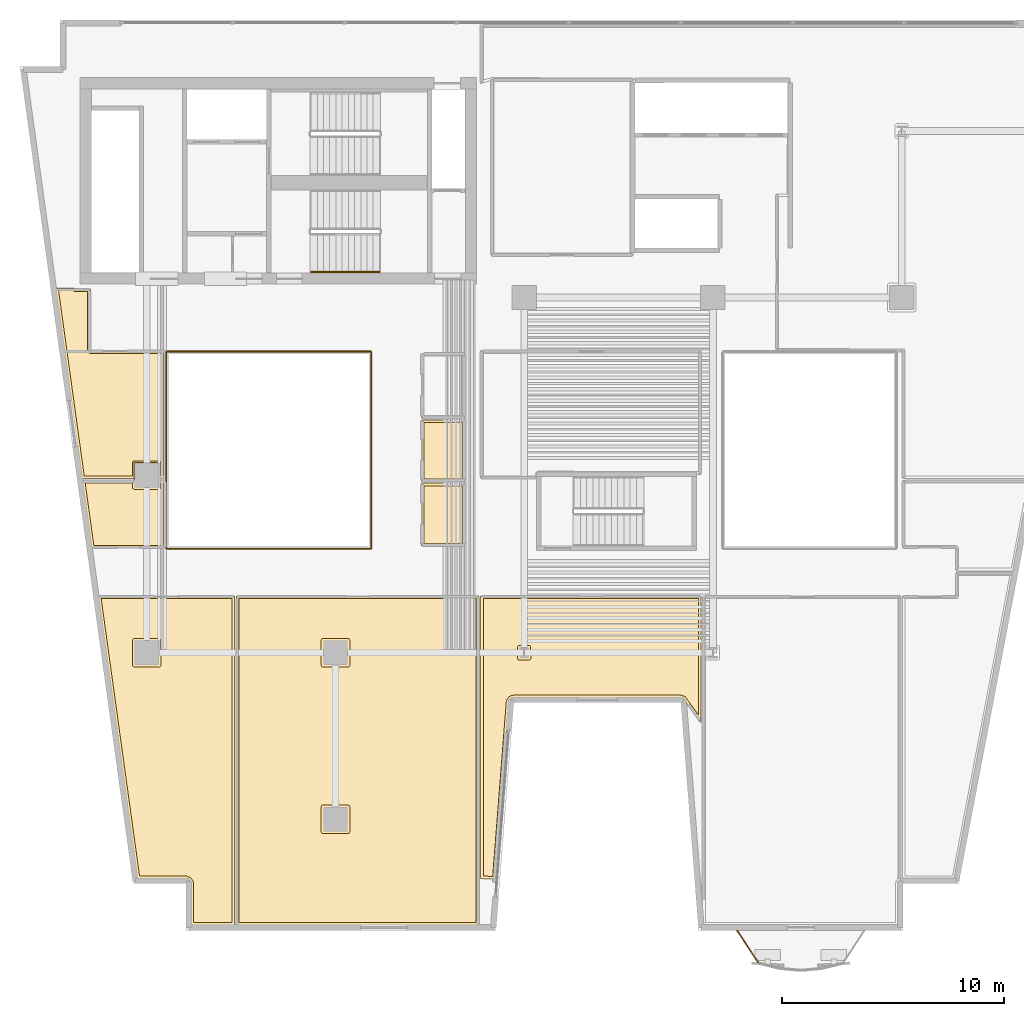
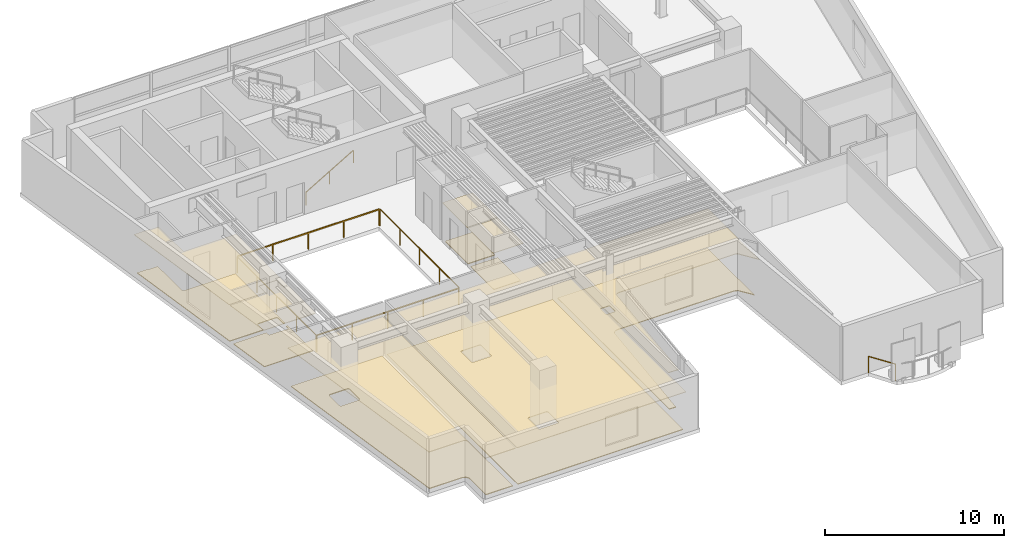
# One storey, part 9 of 13: 14 coverings, 6 railings.
"""IFC4 building model written with IfcOpenShell, lengths in metres."""

from ifc_helpers import new_model, si_unit, direction, frame, origin, origin_2d, place, context, subcontext, project, spatial, polyline, rectangle, outline, extrude, material, layer, layer_set, type_object, element, save


model = new_model("IFC4")

# Units and contexts
model_context = context("Model", 3, precision=1e-05, world=origin(), true_north=direction((0.0, 1.0)))
body_context = subcontext(model_context, "Body", "Model", "MODEL_VIEW")
ifc_project = project(units=[si_unit("LENGTHUNIT", "METRE"), si_unit("AREAUNIT", "SQUARE_METRE"), si_unit("VOLUMEUNIT", "CUBIC_METRE"), si_unit("PLANEANGLEUNIT", "RADIAN"), si_unit("MASSUNIT", "GRAM", prefix="KILO")], contexts=[model_context])

# Site, building, storey
site_placement = place(None, origin())
site = spatial("IfcSite", under=ifc_project, at=site_placement, CompositionType="ELEMENT")
building_placement = place(site_placement, origin())
building = spatial("IfcBuilding", under=site, at=building_placement, Name="Caeloran Harvest Quay", CompositionType="ELEMENT")
storey_placement = place(building_placement, frame((0.0, 0.0, 131.14990234375)))
storey = spatial("IfcBuildingStorey", under=building, at=storey_placement, Name="L30", CompositionType="ELEMENT", Elevation=131.14990234375)

# Coverings
ifc_material_1 = material(Name="Perforated Mineral-Fibre Acoustic Ceiling Tile", Category="ceiling")
ifc_layer_1 = layer(ifc_material_1, 0.0400390625, Name="Perforated Mineral-Fibre Acoustic Ceiling Tile")
ifc_layer_set_1 = layer_set([ifc_layer_1], Name="Perforated Mineral-Fibre Acoustic Ceiling Tile")
covering_type_1 = type_object("IfcCoveringType", Name="COV-CEILING-ACOUSTIC", PredefinedType="CEILING", material=ifc_layer_set_1)
covering_1_placement = place(storey_placement, frame((0.0, 0.0, 2.60009765625)))
element("IfcCovering", 1, at=covering_1_placement, inside=storey, type_object=covering_type_1, Name="L30 Female Washroom WC Acoustic Ceiling", PredefinedType="CEILING", context=body_context, shape_type="SweptSolid", body=[
    extrude(outline(polyline([(22.840087890625, 22.7099609375), (20.8701171875, 22.7099609375), (20.8701171875, 25.489990234375), (22.840087890625, 25.489990234375), (22.840087890625, 22.7099609375)])), origin(), (0.0, 0.0, 1.0), 0.0400390625),
])
covering_2_placement = place(storey_placement, frame((0.0, 0.0, 2.60009765625)))
element("IfcCovering", 2, at=covering_2_placement, inside=storey, type_object=covering_type_1, Name="L30 Accessible Unisex Washroom WC Acoustic Ceiling", PredefinedType="CEILING", context=body_context, shape_type="SweptSolid", body=[
    extrude(outline(polyline([(22.840087890625, 19.81005859375), (20.8701171875, 19.81005859375), (20.8701171875, 22.639892578125), (22.840087890625, 22.639892578125), (22.840087890625, 19.81005859375)])), origin(), (0.0, 0.0, 1.0), 0.0400390625),
])
covering_3_placement = place(storey_placement, frame((0.0, 0.0, 2.60009765625)))
element("IfcCovering", 3, at=covering_3_placement, inside=storey, type_object=covering_type_1, Name="Precision Agriculture Engineering Office Acoustic Ceiling", PredefinedType="CEILING", context=body_context, shape_type="SweptSolid", body=[
    extrude(outline(polyline([(23.4599609375, 2.719970703125), (12.5400390625, 2.719970703125), (12.5400390625, 17.56005859375), (23.4599609375, 17.56005859375), (23.4599609375, 2.719970703125)])), origin(), (0.0, 0.0, 1.0), 0.0400390625),
])
covering_4_placement = place(storey_placement, frame((0.0, 0.0, 2.60009765625)))
element("IfcCovering", 4, at=covering_4_placement, inside=storey, type_object=covering_type_1, Name="Drone Telemetry Computing Office Acoustic Ceiling", PredefinedType="CEILING", context=body_context, shape_type="SweptSolid", body=[
    extrude(outline(polyline([(10.464111328125, 4.70361328125), (10.373779296875, 4.7939453125), (10.26904296875, 4.820068359375), (8.0712890625, 4.820068359375), (6.309326171875, 17.56005859375), (12.4599609375, 17.56005859375), (12.4599609375, 2.719970703125), (10.489990234375, 2.719970703125), (10.489990234375, 4.59912109375), (10.464111328125, 4.70361328125)])), origin(), (0.0, 0.0, 1.0), 0.0400390625),
])
covering_5_placement = place(storey_placement, frame((0.0, 0.0, 2.60009765625)))
element("IfcCovering", 5, at=covering_5_placement, inside=storey, type_object=covering_type_1, Name="Boardroom and Client Briefing Room Acoustic Ceiling", PredefinedType="CEILING", context=body_context, shape_type="SweptSolid", body=[
    extrude(outline(polyline([(33.4599609375, 11.83740234375), (32.770751953125, 12.79248046875), (32.726806640625, 12.887451171875), (32.659912109375, 12.943359375), (32.576904296875, 12.968994140625), (25.031005859375, 12.969970703125), (24.90625, 12.931884765625), (24.83447265625, 12.850830078125), (24.810546875, 12.76611328125), (24.18896484375, 4.801025390625), (23.5400390625, 4.826416015625), (23.5400390625, 17.56005859375), (33.4599609375, 17.56005859375), (33.4599609375, 11.83740234375)])), origin(), (0.0, 0.0, 1.0), 0.0400390625),
])
covering_6_placement = place(storey_placement, frame((0.0, 0.0, 2.60009765625)))
element("IfcCovering", 6, at=covering_6_placement, inside=storey, type_object=covering_type_1, Name="Staff Espresso Kitchen Acoustic Ceiling", PredefinedType="CEILING", context=body_context, shape_type="SweptSolid", body=[
    extrude(outline(polyline([(9.360107421875, 22.760009765625), (9.360107421875, 19.7099609375), (6.01220703125, 19.7099609375), (5.59033203125, 22.760009765625), (7.929931640625, 22.760009765625), (7.929931640625, 23.570068359375), (9.070068359375, 23.570068359375), (9.070068359375, 22.760009765625), (9.360107421875, 22.760009765625)])), origin(), (0.0, 0.0, 1.0), 0.0400390625),
])
covering_7_placement = place(storey_placement, frame((0.0, 0.0, 2.60009765625)))
element("IfcCovering", 7, at=covering_7_placement, inside=storey, type_object=covering_type_1, Name="Precision Agriculture Engineering Office 9 Acoustic Ceiling", PredefinedType="CEILING", context=body_context, shape_type="SweptSolid", body=[
    extrude(outline(polyline([(9.070068359375, 22.429931640625), (7.929931640625, 22.429931640625), (7.929931640625, 22.840087890625), (5.5791015625, 22.840087890625), (4.391357421875, 31.429931640625), (5.214599609375, 31.429931640625), (5.260009765625, 31.408447265625), (5.260009765625, 31.389892578125), (5.9599609375, 31.389892578125), (5.9599609375, 28.610107421875), (9.360107421875, 28.610107421875), (9.360107421875, 22.840087890625), (9.070068359375, 22.840087890625), (9.070068359375, 22.429931640625)])), origin(), (0.0, 0.0, 1.0), 0.0400390625),
])
ifc_material_2 = material(Name="Calcium-Sulphate Raised Access Floor and Terrazzo Finish", Category="flooring")
ifc_layer_2 = layer(ifc_material_2, 0.050048828125, Name="Calcium-Sulphate Raised Access Floor and Terrazzo Finish")
ifc_layer_set_2 = layer_set([ifc_layer_2], Name="Calcium-Sulphate Raised Access Floor and Terrazzo Finish")
covering_type_2 = type_object("IfcCoveringType", Name="COV-FLOOR-RAISED", PredefinedType="FLOORING", material=ifc_layer_set_2)
covering_8_placement = place(storey_placement, origin())
element("IfcCovering", 8, at=covering_8_placement, inside=storey, type_object=covering_type_2, Name="L30 Female Washroom WC Raised Finish Flooring", PredefinedType="FLOORING", context=body_context, shape_type="SweptSolid", body=[
    extrude(outline(polyline([(22.719970703125, 22.830078125), (20.989990234375, 22.830078125), (20.989990234375, 25.3701171875), (22.719970703125, 25.3701171875), (22.719970703125, 22.830078125)])), origin(), (0.0, 0.0, 1.0), 0.050048828125),
])
covering_9_placement = place(storey_placement, origin())
element("IfcCovering", 9, at=covering_9_placement, inside=storey, type_object=covering_type_2, Name="L30 Accessible Unisex Washroom WC Raised Finish Flooring", PredefinedType="FLOORING", context=body_context, shape_type="SweptSolid", body=[
    extrude(outline(polyline([(22.719970703125, 19.929931640625), (20.989990234375, 19.929931640625), (20.989990234375, 22.52001953125), (22.719970703125, 22.52001953125), (22.719970703125, 19.929931640625)])), origin(), (0.0, 0.0, 1.0), 0.050048828125),
])
covering_10_placement = place(storey_placement, origin())
element("IfcCovering", 10, at=covering_10_placement, inside=storey, type_object=covering_type_2, Name="Precision Agriculture Engineering Office Raised Finish Flooring", PredefinedType="FLOORING", context=body_context, shape_type="SweptSolid", body=[
    extrude(outline(polyline([(12.659912109375, 17.43994140625), (23.340087890625, 17.43994140625), (23.340087890625, 2.840087890625), (12.659912109375, 2.840087890625), (12.659912109375, 17.43994140625)]), holes=[polyline([(16.43505859375, 8.14501953125), (16.37841796875, 8.12158203125), (16.35498046875, 8.06494140625), (16.35498046875, 6.93505859375), (16.37841796875, 6.87841796875), (16.43505859375, 6.85498046875), (17.56494140625, 6.85498046875), (17.62158203125, 6.87841796875), (17.64501953125, 6.93505859375), (17.64501953125, 8.06494140625), (17.62158203125, 8.12158203125), (17.56494140625, 8.14501953125), (16.43505859375, 8.14501953125)]), polyline([(16.43505859375, 15.64501953125), (16.37841796875, 15.62158203125), (16.35498046875, 15.56494140625), (16.35498046875, 14.43505859375), (16.37841796875, 14.37841796875), (16.43505859375, 14.35498046875), (17.56494140625, 14.35498046875), (17.62158203125, 14.37841796875), (17.64501953125, 14.43505859375), (17.64501953125, 15.56494140625), (17.62158203125, 15.62158203125), (17.56494140625, 15.64501953125), (16.43505859375, 15.64501953125)])]), origin(), (0.0, 0.0, 1.0), 0.050048828125),
])
covering_11_placement = place(storey_placement, origin())
element("IfcCovering", 11, at=covering_11_placement, inside=storey, type_object=covering_type_2, Name="Drone Telemetry Computing Office Raised Finish Flooring", PredefinedType="FLOORING", context=body_context, shape_type="SweptSolid", body=[
    extrude(outline(polyline([(10.58544921875, 4.726318359375), (10.482666015625, 4.865234375), (10.29931640625, 4.938720703125), (8.17578125, 4.93994140625), (6.447021484375, 17.43994140625), (12.340087890625, 17.43994140625), (12.340087890625, 2.840087890625), (10.610107421875, 2.840087890625), (10.610107421875, 4.60009765625), (10.58544921875, 4.726318359375)]), holes=[polyline([(7.93505859375, 15.64501953125), (7.87841796875, 15.62158203125), (7.85498046875, 15.56494140625), (7.85498046875, 14.43505859375), (7.87841796875, 14.37841796875), (7.93505859375, 14.35498046875), (9.06494140625, 14.35498046875), (9.12158203125, 14.37841796875), (9.14501953125, 14.43505859375), (9.14501953125, 15.56494140625), (9.12158203125, 15.62158203125), (9.06494140625, 15.64501953125), (7.93505859375, 15.64501953125)])]), origin(), (0.0, 0.0, 1.0), 0.050048828125),
])
covering_12_placement = place(storey_placement, origin())
element("IfcCovering", 12, at=covering_12_placement, inside=storey, type_object=covering_type_2, Name="Boardroom and Client Briefing Room Raised Finish Flooring", PredefinedType="FLOORING", context=body_context, shape_type="SweptSolid", body=[
    extrude(outline(polyline([(33.340087890625, 12.208740234375), (32.74951171875, 13.02880859375), (32.554931640625, 13.090087890625), (25.030029296875, 13.090087890625), (24.90185546875, 13.06494140625), (24.808837890625, 13.008056640625), (24.72607421875, 12.902099609375), (24.69091796875, 12.776611328125), (24.078369140625, 4.925537109375), (23.659912109375, 4.94189453125), (23.659912109375, 17.43994140625), (33.340087890625, 17.43994140625), (33.340087890625, 12.208740234375)]), holes=[polyline([(25.806884765625, 14.748046875), (25.788818359375, 15.302734375), (25.73486328125, 15.33154296875), (25.27294921875, 15.33203125), (25.21630859375, 15.30859375), (25.193115234375, 15.251953125), (25.193115234375, 14.748046875), (25.21630859375, 14.69140625), (25.27294921875, 14.66796875), (25.72705078125, 14.66796875), (25.78369140625, 14.69140625), (25.806884765625, 14.748046875)])]), origin(), (0.0, 0.0, 1.0), 0.050048828125),
])
covering_13_placement = place(storey_placement, origin())
element("IfcCovering", 13, at=covering_13_placement, inside=storey, type_object=covering_type_2, Name="Staff Espresso Kitchen Raised Finish Flooring", PredefinedType="FLOORING", context=body_context, shape_type="SweptSolid", body=[
    extrude(outline(polyline([(7.85498046875, 22.639892578125), (7.8583984375, 22.411865234375), (7.93505859375, 22.35498046875), (9.08056640625, 22.3564453125), (9.1435546875, 22.41943359375), (9.14501953125, 22.639892578125), (9.239990234375, 22.639892578125), (9.239990234375, 19.830078125), (6.11669921875, 19.830078125), (5.72802734375, 22.639892578125), (7.85498046875, 22.639892578125)])), origin(), (0.0, 0.0, 1.0), 0.050048828125),
])
covering_14_placement = place(storey_placement, origin())
element("IfcCovering", 14, at=covering_14_placement, inside=storey, type_object=covering_type_2, Name="Precision Agriculture Engineering Office 9 Raised Finish Flooring", PredefinedType="FLOORING", context=body_context, shape_type="SweptSolid", body=[
    extrude(outline(polyline([(5.165283203125, 31.31005859375), (5.2431640625, 31.270263671875), (5.840087890625, 31.27001953125), (5.840087890625, 28.60009765625), (5.8857421875, 28.5107421875), (5.949951171875, 28.489990234375), (9.239990234375, 28.489990234375), (9.239990234375, 22.9599609375), (9.14501953125, 22.9599609375), (9.14453125, 23.57275390625), (9.11572265625, 23.626708984375), (9.06494140625, 23.64501953125), (7.897216796875, 23.635498046875), (7.85546875, 23.57275390625), (7.85498046875, 22.9599609375), (5.683837890625, 22.9599609375), (4.529052734375, 31.31005859375), (5.165283203125, 31.31005859375)])), origin(), (0.0, 0.0, 1.0), 0.050048828125),
])

# Railings
ifc_material_3 = material(Name="Powder-Coated Steel Post and Laminated Glass Guardrail", Category="steel")
ifc_layer_3 = layer(ifc_material_3, 0.06005859375, Name="Powder-Coated Steel Post and Laminated Glass Guardrail")
ifc_layer_set_3 = layer_set([ifc_layer_3], Name="Powder-Coated Steel Post and Laminated Glass Guardrail")
railing_type_1 = type_object("IfcRailingType", Name="GUARD-ATRIUM-1150", PredefinedType="GUARDRAIL", material=ifc_layer_set_3)
railing_1_placement = place(storey_placement, frame((9.412109375, 19.679931640625, 0.0)))
element("IfcRailing", 15, at=railing_1_placement, inside=storey, type_object=railing_type_1, Name="L30 Skylit Atrium Void Perimeter Guardrail Seg 1", PredefinedType="GUARDRAIL", context=body_context, shape_type="SweptSolid", body=[
    extrude(rectangle(XDim=0.048095703125, YDim=0.048095703125, at=origin_2d()), frame((0.0, 0.0, 1.1259765625), z_axis=(1.0, 0.0, 0.0), x_axis=(0.0, 1.0, 0.0)), (0.0, 0.0, 1.0), 9.17578125),
    extrude(rectangle(XDim=0.0419921875, YDim=0.0419921875, at=origin_2d()), origin(), (0.0, 0.0, 1.0), 1.101806640625),
    extrude(rectangle(XDim=0.0419921875, YDim=0.0419921875, at=origin_2d()), frame((2.2939453125, 0.0, 0.0)), (0.0, 0.0, 1.0), 1.101806640625),
    extrude(rectangle(XDim=0.0419921875, YDim=0.0419921875, at=origin_2d()), frame((4.587890625, 0.0, 0.0)), (0.0, 0.0, 1.0), 1.101806640625),
    extrude(rectangle(XDim=0.0419921875, YDim=0.0419921875, at=origin_2d()), frame((6.8818359375, 0.0, 0.0)), (0.0, 0.0, 1.0), 1.101806640625),
    extrude(rectangle(XDim=0.0419921875, YDim=0.0419921875, at=origin_2d()), frame((9.17578125, 0.0, 0.0)), (0.0, 0.0, 1.0), 1.101806640625),
])
railing_2_placement = place(storey_placement, frame((18.6201171875, 19.7119140625, 0.0)))
element("IfcRailing", 16, at=railing_2_placement, inside=storey, type_object=railing_type_1, Name="L30 Skylit Atrium Void Perimeter Guardrail Seg 2", PredefinedType="GUARDRAIL", context=body_context, shape_type="SweptSolid", body=[
    extrude(rectangle(XDim=0.048095703125, YDim=0.048095703125, at=origin_2d()), frame((0.0, 0.0, 1.1259765625), z_axis=(0.0, 1.0, 0.0), x_axis=(-1.0, 0.0, 0.0)), (0.0, 0.0, 1.0), 8.826171875),
    extrude(rectangle(XDim=0.0419921875, YDim=0.0419921875, at=origin_2d()), origin(), (0.0, 0.0, 1.0), 1.101806640625),
    extrude(rectangle(XDim=0.0419921875, YDim=0.0419921875, at=origin_2d()), frame((0.0, 2.20654296875, 0.0)), (0.0, 0.0, 1.0), 1.101806640625),
    extrude(rectangle(XDim=0.0419921875, YDim=0.0419921875, at=origin_2d()), frame((0.0, 4.4130859375, 0.0)), (0.0, 0.0, 1.0), 1.101806640625),
    extrude(rectangle(XDim=0.0419921875, YDim=0.0419921875, at=origin_2d()), frame((0.0, 6.61962890625, 0.0)), (0.0, 0.0, 1.0), 1.101806640625),
    extrude(rectangle(XDim=0.0419921875, YDim=0.0419921875, at=origin_2d()), frame((0.0, 8.826171875, 0.0)), (0.0, 0.0, 1.0), 1.101806640625),
])
railing_3_placement = place(storey_placement, frame((18.587890625, 28.570068359375, 0.0)))
element("IfcRailing", 17, at=railing_3_placement, inside=storey, type_object=railing_type_1, Name="L30 Skylit Atrium Void Perimeter Guardrail Seg 3", PredefinedType="GUARDRAIL", context=body_context, shape_type="SweptSolid", body=[
    extrude(rectangle(XDim=0.048095703125, YDim=0.048095703125, at=origin_2d()), frame((0.0, 0.0, 1.1259765625), z_axis=(-1.0, 0.0, 0.0), x_axis=(0.0, -1.0, 0.0)), (0.0, 0.0, 1.0), 9.17578125),
    extrude(rectangle(XDim=0.0419921875, YDim=0.0419921875, at=origin_2d()), origin(), (0.0, 0.0, 1.0), 1.101806640625),
    extrude(rectangle(XDim=0.0419921875, YDim=0.0419921875, at=origin_2d()), frame((-2.2939453125, 0.0, 0.0)), (0.0, 0.0, 1.0), 1.101806640625),
    extrude(rectangle(XDim=0.0419921875, YDim=0.0419921875, at=origin_2d()), frame((-4.587890625, 0.0, 0.0)), (0.0, 0.0, 1.0), 1.101806640625),
    extrude(rectangle(XDim=0.0419921875, YDim=0.0419921875, at=origin_2d()), frame((-6.8818359375, 0.0, 0.0)), (0.0, 0.0, 1.0), 1.101806640625),
    extrude(rectangle(XDim=0.0419921875, YDim=0.0419921875, at=origin_2d()), frame((-9.17578125, 0.0, 0.0)), (0.0, 0.0, 1.0), 1.101806640625),
])
railing_4_placement = place(storey_placement, frame((9.3798828125, 28.5380859375, 0.0)))
element("IfcRailing", 18, at=railing_4_placement, inside=storey, type_object=railing_type_1, Name="L30 Skylit Atrium Void Perimeter Guardrail Seg 4", PredefinedType="GUARDRAIL", context=body_context, shape_type="SweptSolid", body=[
    extrude(rectangle(XDim=0.048095703125, YDim=0.048095703125, at=origin_2d()), frame((0.0, 0.0, 1.1259765625), z_axis=(0.0, -1.0, 0.0), x_axis=(1.0, 0.0, 0.0)), (0.0, 0.0, 1.0), 8.826171875),
    extrude(rectangle(XDim=0.0419921875, YDim=0.0419921875, at=origin_2d()), origin(), (0.0, 0.0, 1.0), 1.101806640625),
    extrude(rectangle(XDim=0.0419921875, YDim=0.0419921875, at=origin_2d()), frame((0.0, -2.20654296875, 0.0)), (0.0, 0.0, 1.0), 1.101806640625),
    extrude(rectangle(XDim=0.0419921875, YDim=0.0419921875, at=origin_2d()), frame((0.0, -4.4130859375, 0.0)), (0.0, 0.0, 1.0), 1.101806640625),
    extrude(rectangle(XDim=0.0419921875, YDim=0.0419921875, at=origin_2d()), frame((0.0, -6.61962890625, 0.0)), (0.0, 0.0, 1.0), 1.101806640625),
    extrude(rectangle(XDim=0.0419921875, YDim=0.0419921875, at=origin_2d()), frame((0.0, -8.826171875, 0.0)), (0.0, 0.0, 1.0), 1.101806640625),
])
ifc_material_4 = material(Name="Laminated Safety Glass and Stainless Steel 316", Category="steel")
ifc_layer_4 = layer(ifc_material_4, 0.06005859375, Name="Laminated Safety Glass and Stainless Steel 316")
ifc_layer_set_4 = layer_set([ifc_layer_4], Name="Laminated Safety Glass and Stainless Steel 316")
railing_type_2 = type_object("IfcRailingType", Name="GUARD-BALUSTRADE-1150", PredefinedType="BALUSTRADE", material=ifc_layer_set_4)
railing_5_placement = place(storey_placement, frame((36.027587890625, 1.061767578125, 0.0)))
element("IfcRailing", 19, at=railing_5_placement, inside=storey, type_object=railing_type_2, Name="L30 Planted Balcony Perimeter Balustrade Guard Seg 6", PredefinedType="BALUSTRADE", context=body_context, shape_type="SweptSolid", body=[
    extrude(rectangle(XDim=0.048095703125, YDim=0.048095703125, at=origin_2d()), frame((0.0, 0.0, 1.1259765625), z_axis=(-0.551847813959, 0.833944836443, 0.0), x_axis=(-0.833944836443, -0.551847813959, 0.0)), (0.0, 0.0, 1.0), 1.70068359375),
    extrude(rectangle(XDim=0.0419921875, YDim=0.0419921875, at=origin_2d()), origin(), (0.0, 0.0, 1.0), 1.101806640625),
    extrude(rectangle(XDim=0.0419921875, YDim=0.0419921875, at=origin_2d()), frame((-0.9384765625, 1.418212890625, 0.0)), (0.0, 0.0, 1.0), 1.101806640625),
])
ifc_material_5 = material(Name="Brushed Stainless Steel Grade 304", Category="steel")
ifc_layer_5 = layer(ifc_material_5, 0.050048828125, Name="Brushed Stainless Steel Grade 304")
ifc_layer_set_5 = layer_set([ifc_layer_5], Name="Brushed Stainless Steel Grade 304")
railing_type_3 = type_object("IfcRailingType", Name="STAIR-HANDRAIL-900", PredefinedType="HANDRAIL", material=ifc_layer_set_5)
railing_6_placement = place(storey_placement, frame((15.89990234375, 32.14990234375, 0.164794921875)))
element("IfcRailing", 20, at=railing_6_placement, inside=storey, type_object=railing_type_3, Name="L30 ST-C2 stair handrail 1", PredefinedType="HANDRAIL", context=body_context, shape_type="SweptSolid", body=[
    extrude(rectangle(XDim=0.048095703125, YDim=0.048095703125, at=origin_2d()), frame((0.0, 0.0, 0.8759765625), z_axis=(0.862118610829, 0.0, 0.506706523406), x_axis=(0.0, 1.0, 0.0)), (0.0, 0.0, 1.0), 3.57275390625),
    extrude(rectangle(XDim=0.0419921875, YDim=0.0419921875, at=origin_2d()), origin(), (0.0, 0.0, 1.0), 0.851806640625),
    extrude(rectangle(XDim=0.0419921875, YDim=0.0419921875, at=origin_2d()), frame((1.5400390625, 0.0, 0.9052734375)), (0.0, 0.0, 1.0), 0.851806640625),
    extrude(rectangle(XDim=0.0419921875, YDim=0.0419921875, at=origin_2d()), frame((3.080078125, 0.0, 1.810302734375)), (0.0, 0.0, 1.0), 0.851806640625),
])

save(model, "model.ifc")
